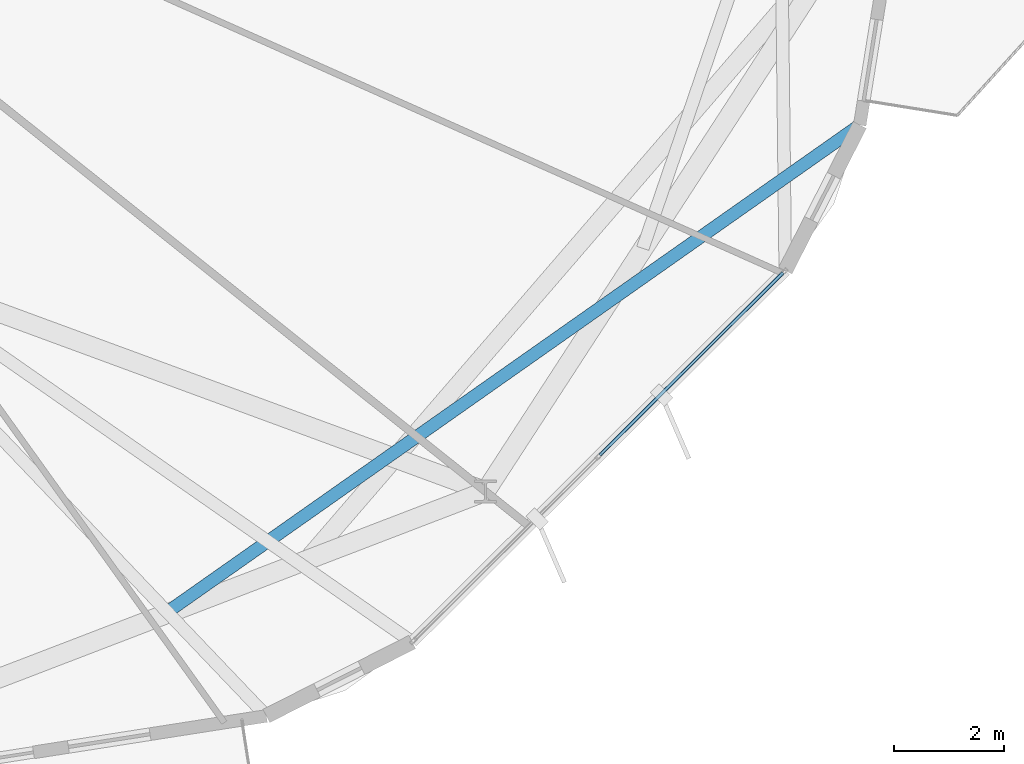
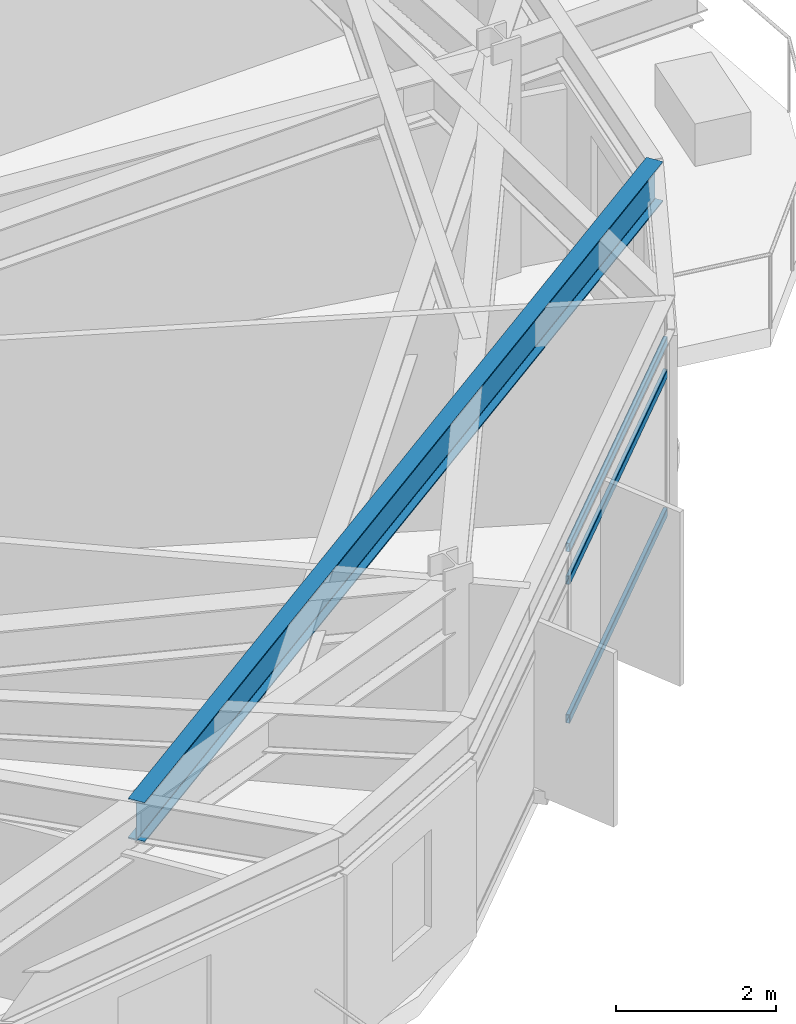
# One storey, part 9 of 27: 3 members, 1 beam, 1 element without a shape of its own.
"""IFC4 building model written with IfcOpenShell, lengths in metres."""

from ifc_helpers import new_model, si_unit, direction, frame, origin, origin_2d, place, context, subcontext, project, spatial, hollow_rectangle, i_section, extrude, material, layer, layer_set, material_profile, profile_set, type_object, element, aggregate, save


model = new_model("IFC4")

# Units and contexts
model_context = context("Model", 3, precision=1e-05, world=origin(), true_north=direction((0.0, 1.0)))
body_context = subcontext(model_context, "Body", "Model", "MODEL_VIEW")
ifc_project = project(units=[si_unit("LENGTHUNIT", "METRE"), si_unit("AREAUNIT", "SQUARE_METRE"), si_unit("VOLUMEUNIT", "CUBIC_METRE"), si_unit("PLANEANGLEUNIT", "RADIAN"), si_unit("MASSUNIT", "GRAM", prefix="KILO")], contexts=[model_context])

# Site, building, storey
site_placement = place(None, origin())
site = spatial("IfcSite", under=ifc_project, at=site_placement, CompositionType="ELEMENT")
building_placement = place(site_placement, origin())
building = spatial("IfcBuilding", under=site, at=building_placement, Name="Soratama Intermodal Tower", CompositionType="ELEMENT")
storey_placement = place(building_placement, frame((0.0, 0.0, 197.800048828125)))
storey = spatial("IfcBuildingStorey", under=building, at=storey_placement, Name="L49", CompositionType="ELEMENT", Elevation=197.800048828125)

# Beam
ifc_material_1 = material(Name="Structural steel ASTM A992 Grade 50", Category="steel")
ifc_material_profile_1 = material_profile(ifc_material_1, i_section(OverallWidth=0.22900390625, OverallDepth=0.612060546875, WebThickness=0.011962890625, FlangeThickness=0.01953125, FilletRadius=0.012939453125, at=origin_2d()), Name="W24X84")
ifc_profile_set_1 = profile_set([ifc_material_profile_1], Name="Structural steel ASTM A992 Grade 50")
beam_type = type_object("IfcBeamType", Name="BM-TIE-W24X84", PredefinedType="BEAM", material=ifc_profile_set_1)
beam_placement = place(storey_placement, frame((50.875, 8.31689453125, 2.993896484375), z_axis=(0.817967734645, 0.575264100288, 0.0), x_axis=(-0.575264100288, 0.817967734645, 0.0)))
element("IfcBeam", 1, at=beam_placement, inside=storey, type_object=beam_type, Name="BM-L49-TIE0-09", PredefinedType="BEAM", context=body_context, shape_type="SweptSolid", body=[
    extrude(i_section(OverallWidth=0.22900390625, OverallDepth=0.612060546875, WebThickness=0.011962890625, FlangeThickness=0.01953125, FilletRadius=0.012939453125, at=origin_2d()), origin(), (0.0, 0.0, 1.0), 15.429931640625),
])

# Curtain wall, members
ifc_material_2 = material(Name="Double-glazed aluminium curtain wall", Category="aluminium")
ifc_layer = layer(ifc_material_2, 0.159912109375)
ifc_layer_set = layer_set([ifc_layer], Name="Double-glazed aluminium curtain wall")
curtain_wall_type = type_object("IfcCurtainWallType", Name="CW-SYS-5", PredefinedType="NOTDEFINED", material=ifc_layer_set)
curtain_wall_placement = place(storey_placement, origin())
curtain_wall = element("IfcCurtainWall", 2, at=curtain_wall_placement, inside=storey, type_object=curtain_wall_type, Name="L49 Faceted Curtain Wall F08", PredefinedType="NOTDEFINED")
ifc_material_3 = material(Name="Anodised aluminium AA 6063-T6", Category="aluminium")
ifc_material_profile_2 = material_profile(ifc_material_3, hollow_rectangle(XDim=0.06005859375, YDim=0.1298828125, WallThickness=0.0048828125, InnerFilletRadius=0.0048828125, OuterFilletRadius=0.010009765625, at=origin_2d()), Name="CWT130X60X5")
ifc_profile_set_2 = profile_set([ifc_material_profile_2], Name="Anodised aluminium AA 6063-T6")
member_type = type_object("IfcMemberType", Name="TT-CWT-2", PredefinedType="USERDEFINED", material=ifc_profile_set_2)
member_1_placement = place(storey_placement, frame((58.78076171875, 11.2041015625, 0.030029296875), z_axis=(0.708564084785, 0.705646467966, 0.0), x_axis=(-0.705646467966, 0.708564084785, 0.0)))
member_1 = element("IfcMember", 3, at=member_1_placement, type_object=member_type, Name="CW-5 transom 2.1", ObjectType="TRANSOM", PredefinedType="USERDEFINED", context=body_context, shape_type="SweptSolid", body=[
    extrude(hollow_rectangle(XDim=0.06005859375, YDim=0.1298828125, WallThickness=0.0048828125, InnerFilletRadius=0.0048828125, OuterFilletRadius=0.010009765625, at=origin_2d()), origin(), (0.0, 0.0, 1.0), 4.68603515625),
])
member_2_placement = place(storey_placement, frame((58.78076171875, 11.2041015625, 2.14990234375), z_axis=(0.708564084785, 0.705646467966, 0.0), x_axis=(-0.705646467966, 0.708564084785, 0.0)))
member_2 = element("IfcMember", 4, at=member_2_placement, type_object=member_type, Name="CW-5 transom 2.2", ObjectType="TRANSOM", PredefinedType="USERDEFINED", context=body_context, shape_type="SweptSolid", body=[
    extrude(hollow_rectangle(XDim=0.06005859375, YDim=0.1298828125, WallThickness=0.0048828125, InnerFilletRadius=0.0048828125, OuterFilletRadius=0.010009765625, at=origin_2d()), origin(), (0.0, 0.0, 1.0), 4.68603515625),
])
member_3_placement = place(storey_placement, frame((58.78076171875, 11.2041015625, 2.64892578125), z_axis=(0.708564084785, 0.705646467966, 0.0), x_axis=(-0.705646467966, 0.708564084785, 0.0)))
member_3 = element("IfcMember", 5, at=member_3_placement, type_object=member_type, Name="CW-5 transom 2.3", ObjectType="TRANSOM", PredefinedType="USERDEFINED", context=body_context, shape_type="SweptSolid", body=[
    extrude(hollow_rectangle(XDim=0.06005859375, YDim=0.1298828125, WallThickness=0.0048828125, InnerFilletRadius=0.0048828125, OuterFilletRadius=0.010009765625, at=origin_2d()), origin(), (0.0, 0.0, 1.0), 4.68603515625),
])
aggregate(curtain_wall, [member_1, member_2, member_3])

save(model, "model.ifc")
